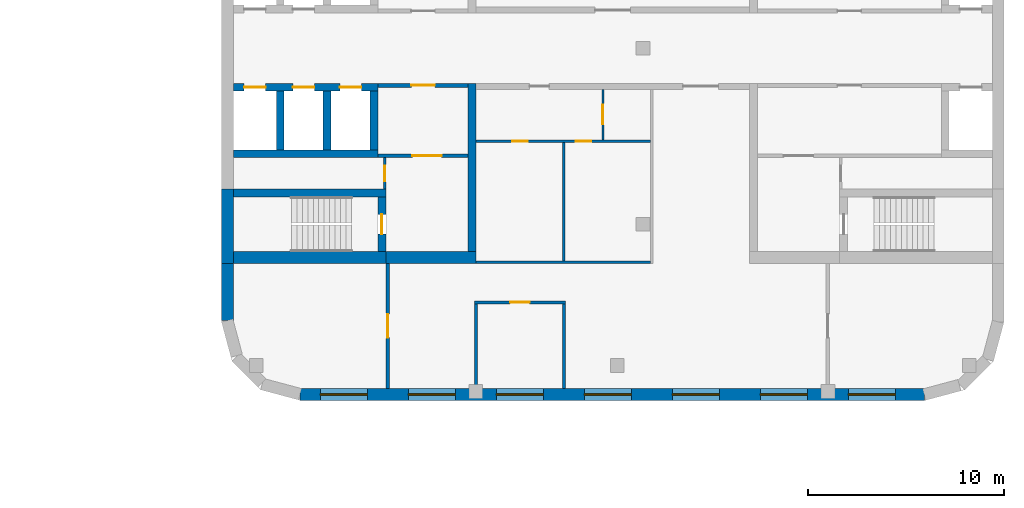
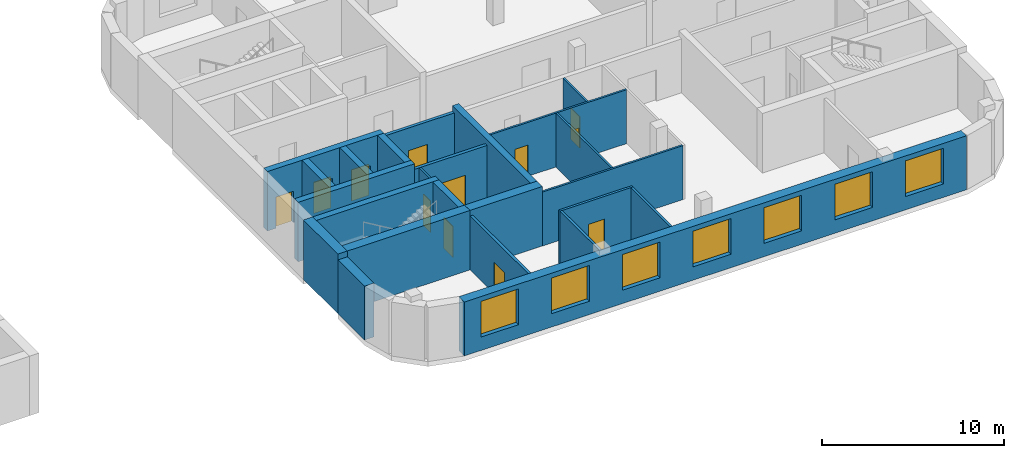
# One storey, part 7 of 16: 24 walls, 12 doors, 7 windows, 19 openings.
"""IFC4 building model written with IfcOpenShell, lengths in metres."""

from ifc_helpers import new_model, si_unit, direction, frame, frame_2d, origin, place, context, subcontext, project, spatial, rectangle, extrude, material, layer, layer_set, type_object, element, fill, save


model = new_model("IFC4")

# Units and contexts
model_context = context("Model", 3, precision=1e-05, world=origin(), true_north=direction((0.0, 1.0)))
body_context = subcontext(model_context, "Body", "Model", "MODEL_VIEW")
ifc_project = project(units=[si_unit("LENGTHUNIT", "METRE"), si_unit("AREAUNIT", "SQUARE_METRE"), si_unit("VOLUMEUNIT", "CUBIC_METRE"), si_unit("PLANEANGLEUNIT", "RADIAN"), si_unit("MASSUNIT", "GRAM", prefix="KILO")], contexts=[model_context])

# Site, building, storey
site_placement = place(None, origin())
site = spatial("IfcSite", under=ifc_project, at=site_placement, CompositionType="ELEMENT")
building_placement = place(site_placement, origin())
building = spatial("IfcBuilding", under=site, at=building_placement, Name="Skarvind Civic Tower", CompositionType="ELEMENT")
storey_placement = place(building_placement, frame((0.0, 0.0, 67.5)))
storey = spatial("IfcBuildingStorey", under=building, at=storey_placement, Name="L15", CompositionType="ELEMENT", Elevation=67.5)

# Wall, opening, door
ifc_material_1 = material(Name="Acoustic gypsum board on steel studs", Category="steel")
ifc_layer_1 = layer(ifc_material_1, 0.175048828125)
ifc_layer_set_1 = layer_set([ifc_layer_1], Name="ACOUSTIC MEETING-ROOM PARTITION 175")
wall_type_1 = type_object("IfcWallType", Name="ACOUSTIC MEETING-ROOM PARTITION 175", PredefinedType="PARTITIONING", material=ifc_layer_set_1)
wall_1_placement = place(storey_placement, frame((135.5, 117.0, 0.0), z_axis=(0.0, 0.0, 1.0), x_axis=(0.0, -1.0, 0.0)))
wall_1 = element("IfcWall", 1, at=wall_1_placement, inside=storey, type_object=wall_type_1, Name="Partition 15.001", PredefinedType="PARTITIONING", context=body_context, shape_type="SweptSolid", body=[
    extrude(rectangle(XDim=6.39990234375, YDim=0.175048828125, at=frame_2d((3.199951171875, 0.0))), origin(), (0.0, 0.0, 1.0), 3.625),
])
opening_1_placement = place(wall_1_placement, frame((2.60009765625, 0.0, 0.0)))
opening_1 = element("IfcOpeningElement", 2, at=opening_1_placement, cuts=wall_1, Name="Opening L15-D111", PredefinedType="OPENING", context=body_context, shape_type="SweptSolid", body=[
    extrude(rectangle(XDim=1.199951171875, YDim=2.10009765625, at=frame_2d((0.60009765625, 1.050048828125))), frame((0.0, 0.097412109375, 0.0), z_axis=(0.0, -1.0, 0.0), x_axis=(1.0, 0.0, 0.0)), (0.0, 0.0, 1.0), 0.195068359375),
])
ifc_material_2 = material(Name="Timber door leaf", Category="wood")
door_type_1 = type_object("IfcDoorType", Name="DOOR 1200X2100 DOUBLE TIMBER", OperationType="NOTDEFINED", PredefinedType="DOOR", material=ifc_material_2)
door_1_placement = place(opening_1_placement, origin())
door_1 = element("IfcDoor", 3, at=door_1_placement, inside=storey, type_object=door_type_1, Name="Door L15-D111", OperationType="DOUBLE_DOOR_SINGLE_SWING", OverallHeight=2.10009765625, OverallWidth=1.199951171875, PredefinedType="DOOR", context=body_context, shape_type="SweptSolid", body=[
    extrude(rectangle(XDim=1.199951171875, YDim=2.10009765625, at=frame_2d((0.60009765625, 1.050048828125))), frame((0.0, 0.02490234375, 0.0), z_axis=(0.0, -1.0, 0.0), x_axis=(1.0, 0.0, 0.0)), (0.0, 0.0, 1.0), 0.050048828125),
])
fill(opening_1, door_1)

ifc_material_3 = material(Name="Fire-rated masonry partition", Category="masonry")
ifc_layer_2 = layer(ifc_material_3, 0.199951171875)
ifc_layer_set_2 = layer_set([ifc_layer_2], Name="Core enclosure wall 200")
wall_type_2 = type_object("IfcWallType", Name="Core enclosure wall 200", PredefinedType="PARTITIONING", material=ifc_layer_set_2)
wall_2_placement = place(storey_placement, frame((139.60009765625, 126.10009765625, 0.0), z_axis=(0.0, 0.0, 1.0), x_axis=(-1.0, 0.0, 0.0)))
wall_2 = element("IfcWall", 4, at=wall_2_placement, inside=storey, type_object=wall_type_2, Name="Core wall CA", PredefinedType="PARTITIONING", context=body_context, shape_type="SweptSolid", body=[
    extrude(rectangle(XDim=4.60009765625, YDim=0.199951171875, at=frame_2d((2.300048828125, 0.0))), origin(), (0.0, 0.0, 1.0), 3.625),
])
opening_2_placement = place(wall_2_placement, frame((1.699951171875, 0.0, 0.0)))
opening_2 = element("IfcOpeningElement", 5, at=opening_2_placement, cuts=wall_2, Name="Opening D-L15-CA-10", PredefinedType="OPENING", context=body_context, shape_type="SweptSolid", body=[
    extrude(rectangle(XDim=1.199951171875, YDim=2.10009765625, at=frame_2d((0.60009765625, 1.050048828125))), frame((0.0, 0.10986328125, 0.0), z_axis=(0.0, -1.0, 0.0), x_axis=(1.0, 0.0, 0.0)), (0.0, 0.0, 1.0), 0.219970703125),
])
ifc_material_4 = material(Name="Fire-rated steel door", Category="steel")
door_type_2 = type_object("IfcDoorType", Name="Core lobby door 1200", OperationType="NOTDEFINED", PredefinedType="DOOR", material=ifc_material_4)
door_2_placement = place(opening_2_placement, origin())
door_2 = element("IfcDoor", 6, at=door_2_placement, inside=storey, type_object=door_type_2, Name="Fire door", OperationType="DOUBLE_DOOR_SINGLE_SWING", OverallHeight=2.10009765625, OverallWidth=1.199951171875, PredefinedType="DOOR", context=body_context, shape_type="SweptSolid", body=[
    extrude(rectangle(XDim=1.199951171875, YDim=2.10009765625, at=frame_2d((0.60009765625, 1.050048828125))), frame((0.0, 0.02490234375, 0.0), z_axis=(0.0, -1.0, 0.0), x_axis=(1.0, 0.0, 0.0)), (0.0, 0.0, 1.0), 0.050048828125),
])
fill(opening_2, door_2)

wall_3_placement = place(storey_placement, frame((139.60009765625, 122.5, 0.0), z_axis=(0.0, 0.0, 1.0), x_axis=(-1.0, 0.0, 0.0)))
wall_3 = element("IfcWall", 7, at=wall_3_placement, inside=storey, type_object=wall_type_2, Name="Core wall CA", PredefinedType="PARTITIONING", context=body_context, shape_type="SweptSolid", body=[
    extrude(rectangle(XDim=4.60009765625, YDim=0.199951171875, at=frame_2d((2.300048828125, 0.0))), origin(), (0.0, 0.0, 1.0), 3.625),
])
opening_3_placement = place(wall_3_placement, frame((1.35009765625, 0.0, 0.0)))
opening_3 = element("IfcOpeningElement", 8, at=opening_3_placement, cuts=wall_3, Name="Opening D-L15-CA-11", PredefinedType="OPENING", context=body_context, shape_type="SweptSolid", body=[
    extrude(rectangle(XDim=1.5, YDim=2.10009765625, at=frame_2d((0.75, 1.050048828125))), frame((0.0, 0.10986328125, 0.0), z_axis=(0.0, -1.0, 0.0), x_axis=(1.0, 0.0, 0.0)), (0.0, 0.0, 1.0), 0.219970703125),
])
door_type_3 = type_object("IfcDoorType", Name="Fire door 1500", OperationType="NOTDEFINED", PredefinedType="DOOR", material=ifc_material_4)
door_3_placement = place(opening_3_placement, origin())
door_3 = element("IfcDoor", 9, at=door_3_placement, inside=storey, type_object=door_type_3, Name="Fire door", OperationType="DOUBLE_DOOR_SINGLE_SWING", OverallHeight=2.10009765625, OverallWidth=1.5, PredefinedType="DOOR", context=body_context, shape_type="SweptSolid", body=[
    extrude(rectangle(XDim=1.5, YDim=2.10009765625, at=frame_2d((0.75, 1.050048828125))), frame((0.0, 0.02490234375, 0.0), z_axis=(0.0, -1.0, 0.0), x_axis=(1.0, 0.0, 0.0)), (0.0, 0.0, 1.0), 0.050048828125),
])
fill(opening_3, door_3)

# Wall
ifc_material_5 = material(Name="Concrete C80", Category="concrete")
ifc_layer_3 = layer(ifc_material_5, 0.39990234375)
ifc_layer_set_3 = layer_set([ifc_layer_3], Name="Core wall 400 C80")
wall_type_3 = type_object("IfcWallType", Name="Core wall 400 C80", PredefinedType="SHEAR", material=ifc_layer_set_3)
wall_4_placement = place(storey_placement, frame((127.60009765625, 120.60009765625, 0.0), z_axis=(0.0, 0.0, 1.0), x_axis=(1.0, 0.0, 0.0)))
element("IfcWall", 10, at=wall_4_placement, inside=storey, type_object=wall_type_3, Name="Core wall CA south stair inner L15", PredefinedType="SHEAR", context=body_context, shape_type="SweptSolid", body=[
    extrude(rectangle(XDim=7.7998046875, YDim=0.39990234375, at=frame_2d((3.89990234375, 0.0))), origin(), (0.0, 0.0, 1.0), 4.0),
])

# Wall, opening, door
wall_5_placement = place(storey_placement, frame((135.199951171875, 117.60009765625, 0.0), z_axis=(0.0, 0.0, 1.0), x_axis=(0.0, 1.0, 0.0)))
wall_5 = element("IfcWall", 11, at=wall_5_placement, inside=storey, type_object=wall_type_3, Name="Core wall CA south stair end L15", PredefinedType="SHEAR", context=body_context, shape_type="SweptSolid", body=[
    extrude(rectangle(XDim=2.7998046875, YDim=0.39990234375, at=frame_2d((1.39990234375, 0.0))), origin(), (0.0, 0.0, 1.0), 4.0),
])
opening_4_placement = place(wall_5_placement, frame((0.89990234375, 0.0, 0.0)))
opening_4 = element("IfcOpeningElement", 12, at=opening_4_placement, cuts=wall_5, Name="Opening D-L15-CA-12", PredefinedType="OPENING", context=body_context, shape_type="SweptSolid", body=[
    extrude(rectangle(XDim=1.0, YDim=2.10009765625, at=frame_2d((0.5, 1.050048828125))), frame((0.0, 0.2099609375, 0.0), z_axis=(0.0, -1.0, 0.0), x_axis=(1.0, 0.0, 0.0)), (0.0, 0.0, 1.0), 0.419921875),
])
door_type_4 = type_object("IfcDoorType", Name="Fire door 1000", OperationType="NOTDEFINED", PredefinedType="DOOR", material=ifc_material_4)
door_4_placement = place(opening_4_placement, origin())
door_4 = element("IfcDoor", 13, at=door_4_placement, inside=storey, type_object=door_type_4, Name="Fire door", OperationType="SINGLE_SWING_RIGHT", OverallHeight=2.10009765625, OverallWidth=1.0, PredefinedType="DOOR", context=body_context, shape_type="SweptSolid", body=[
    extrude(rectangle(XDim=1.0, YDim=2.10009765625, at=frame_2d((0.5, 1.050048828125))), frame((0.0, 0.02490234375, 0.0), z_axis=(0.0, -1.0, 0.0), x_axis=(1.0, 0.0, 0.0)), (0.0, 0.0, 1.0), 0.050048828125),
])
fill(opening_4, door_4)

# Wall, openings, doors
wall_6_placement = place(storey_placement, frame((127.60009765625, 126.0, 0.0), z_axis=(0.0, 0.0, 1.0), x_axis=(1.0, 0.0, 0.0)))
wall_6 = element("IfcWall", 14, at=wall_6_placement, inside=storey, type_object=wall_type_3, Name="Core wall CA south lift row front L15", PredefinedType="SHEAR", context=body_context, shape_type="SweptSolid", body=[
    extrude(rectangle(XDim=7.39990234375, YDim=0.39990234375, at=frame_2d((3.699951171875, 0.0))), origin(), (0.0, 0.0, 1.0), 4.0),
])
opening_5_placement = place(wall_6_placement, frame((0.550048828125, 0.0, 0.0)))
opening_5 = element("IfcOpeningElement", 15, at=opening_5_placement, cuts=wall_6, Name="Opening LD17304", PredefinedType="OPENING", context=body_context, shape_type="SweptSolid", body=[
    extrude(rectangle(XDim=1.10009765625, YDim=2.10009765625, at=frame_2d((0.550048828125, 1.050048828125))), frame((0.0, 0.2099609375, 0.0), z_axis=(0.0, -1.0, 0.0), x_axis=(1.0, 0.0, 0.0)), (0.0, 0.0, 1.0), 0.419921875),
])
opening_6_placement = place(wall_6_placement, frame((3.050048828125, 0.0, 0.0)))
opening_6 = element("IfcOpeningElement", 16, at=opening_6_placement, cuts=wall_6, Name="Opening LD17305", PredefinedType="OPENING", context=body_context, shape_type="SweptSolid", body=[
    extrude(rectangle(XDim=1.10009765625, YDim=2.10009765625, at=frame_2d((0.550048828125, 1.050048828125))), frame((0.0, 0.2099609375, 0.0), z_axis=(0.0, -1.0, 0.0), x_axis=(1.0, 0.0, 0.0)), (0.0, 0.0, 1.0), 0.419921875),
])
opening_7_placement = place(wall_6_placement, frame((5.449951171875, 0.0, 0.0)))
opening_7 = element("IfcOpeningElement", 17, at=opening_7_placement, cuts=wall_6, Name="Opening LD17306", PredefinedType="OPENING", context=body_context, shape_type="SweptSolid", body=[
    extrude(rectangle(XDim=1.10009765625, YDim=2.10009765625, at=frame_2d((0.550048828125, 1.050048828125))), frame((0.0, 0.2099609375, 0.0), z_axis=(0.0, -1.0, 0.0), x_axis=(1.0, 0.0, 0.0)), (0.0, 0.0, 1.0), 0.419921875),
])
ifc_material_6 = material(Name="Stainless steel landing door", Category="steel")
door_type_5 = type_object("IfcDoorType", Name="Lift landing door 1100", OperationType="DOUBLE_DOOR_SLIDING", PredefinedType="DOOR", material=ifc_material_6)
door_5_placement = place(opening_5_placement, origin())
door_5 = element("IfcDoor", 18, at=door_5_placement, inside=storey, type_object=door_type_5, Name="Lift landing door", OperationType="DOUBLE_DOOR_SLIDING", OverallHeight=2.10009765625, OverallWidth=1.10009765625, PredefinedType="DOOR", context=body_context, shape_type="SweptSolid", body=[
    extrude(rectangle(XDim=1.10009765625, YDim=2.10009765625, at=frame_2d((0.550048828125, 1.050048828125))), frame((0.0, 0.02490234375, 0.0), z_axis=(0.0, -1.0, 0.0), x_axis=(1.0, 0.0, 0.0)), (0.0, 0.0, 1.0), 0.050048828125),
])
fill(opening_5, door_5)
door_6_placement = place(opening_6_placement, origin())
door_6 = element("IfcDoor", 19, at=door_6_placement, inside=storey, type_object=door_type_5, Name="Lift landing door", OperationType="DOUBLE_DOOR_SLIDING", OverallHeight=2.10009765625, OverallWidth=1.10009765625, PredefinedType="DOOR", context=body_context, shape_type="SweptSolid", body=[
    extrude(rectangle(XDim=1.10009765625, YDim=2.10009765625, at=frame_2d((0.550048828125, 1.050048828125))), frame((0.0, 0.02490234375, 0.0), z_axis=(0.0, -1.0, 0.0), x_axis=(1.0, 0.0, 0.0)), (0.0, 0.0, 1.0), 0.050048828125),
])
fill(opening_6, door_6)
door_7_placement = place(opening_7_placement, origin())
door_7 = element("IfcDoor", 20, at=door_7_placement, inside=storey, type_object=door_type_5, Name="Lift landing door", OperationType="DOUBLE_DOOR_SLIDING", OverallHeight=2.10009765625, OverallWidth=1.10009765625, PredefinedType="DOOR", context=body_context, shape_type="SweptSolid", body=[
    extrude(rectangle(XDim=1.10009765625, YDim=2.10009765625, at=frame_2d((0.550048828125, 1.050048828125))), frame((0.0, 0.02490234375, 0.0), z_axis=(0.0, -1.0, 0.0), x_axis=(1.0, 0.0, 0.0)), (0.0, 0.0, 1.0), 0.050048828125),
])
fill(opening_7, door_7)

# Walls
wall_7_placement = place(storey_placement, frame((127.60009765625, 122.60009765625, 0.0), z_axis=(0.0, 0.0, 1.0), x_axis=(1.0, 0.0, 0.0)))
element("IfcWall", 21, at=wall_7_placement, inside=storey, type_object=wall_type_3, Name="Core wall CA south lift row back L15", PredefinedType="SHEAR", context=body_context, shape_type="SweptSolid", body=[
    extrude(rectangle(XDim=7.39990234375, YDim=0.39990234375, at=frame_2d((3.699951171875, 0.0))), origin(), (0.0, 0.0, 1.0), 4.0),
])
for number, where, z_axis, x_axis, name in (
    (22, (130.0, 122.800048828125, 0.0), (0.0, 0.0, 1.0), (0.0, 1.0, 0.0), "Core wall CA south lift row division 1 L15"),
    (23, (132.39990234375, 122.800048828125, 0.0), (0.0, 0.0, 1.0), (0.0, 1.0, 0.0), "Core wall CA south lift row division 2 L15"),
    (24, (134.800048828125, 122.800048828125, 0.0), (0.0, 0.0, 1.0), (0.0, 1.0, 0.0), "Core wall CA south lift row division 3 L15"),
):
    element("IfcWall", number, at=place(storey_placement, frame(where, z_axis=z_axis, x_axis=x_axis)), inside=storey, type_object=wall_type_3, Name=name, PredefinedType="SHEAR", context=body_context, shape_type="SweptSolid", body=[
        extrude(rectangle(XDim=3.0, YDim=0.39990234375, at=frame_2d((1.5, 0.0))), origin(), (0.0, 0.0, 1.0), 4.0),
    ])
wall_8_placement = place(storey_placement, frame((139.800048828125, 117.60009765625, 0.0), z_axis=(0.0, 0.0, 1.0), x_axis=(0.0, 1.0, 0.0)))
element("IfcWall", 25, at=wall_8_placement, inside=storey, type_object=wall_type_3, Name="Core wall CA south inner face L15", PredefinedType="SHEAR", context=body_context, shape_type="SweptSolid", body=[
    extrude(rectangle(XDim=8.599853515625, YDim=0.39990234375, at=frame_2d((4.2998046875, 0.0))), origin(), (0.0, 0.0, 1.0), 4.0),
])
ifc_layer_4 = layer(ifc_material_5, 0.60009765625)
ifc_layer_set_4 = layer_set([ifc_layer_4], Name="Core wall 600 C80")
wall_type_4 = type_object("IfcWallType", Name="Core wall 600 C80", PredefinedType="SHEAR", material=ifc_layer_set_4)
wall_9_placement = place(storey_placement, frame((127.300048828125, 117.0, 0.0), z_axis=(0.0, 0.0, 1.0), x_axis=(0.0, 1.0, 0.0)))
element("IfcWall", 26, at=wall_9_placement, inside=storey, type_object=wall_type_4, Name="Core wall CA tip at the south stair L15", PredefinedType="SHEAR", context=body_context, shape_type="SweptSolid", body=[
    extrude(rectangle(XDim=3.800048828125, YDim=0.60009765625, at=frame_2d((1.89990234375, 0.0))), origin(), (0.0, 0.0, 1.0), 4.0),
])
wall_10_placement = place(storey_placement, frame((127.60009765625, 117.300048828125, 0.0), z_axis=(0.0, 0.0, 1.0), x_axis=(1.0, 0.0, 0.0)))
element("IfcWall", 27, at=wall_10_placement, inside=storey, type_object=wall_type_4, Name="Core wall CA south side at the stair L15", PredefinedType="SHEAR", context=body_context, shape_type="SweptSolid", body=[
    extrude(rectangle(XDim=7.7998046875, YDim=0.60009765625, at=frame_2d((3.89990234375, 0.0))), origin(), (0.0, 0.0, 1.0), 4.0),
])
wall_11_placement = place(storey_placement, frame((135.39990234375, 117.300048828125, 0.0), z_axis=(0.0, 0.0, 1.0), x_axis=(1.0, 0.0, 0.0)))
element("IfcWall", 28, at=wall_11_placement, inside=storey, type_object=wall_type_4, Name="Core wall CA south side L15", PredefinedType="SHEAR", context=body_context, shape_type="SweptSolid", body=[
    extrude(rectangle(XDim=4.60009765625, YDim=0.60009765625, at=frame_2d((2.300048828125, 0.0))), origin(), (0.0, 0.0, 1.0), 4.0),
])
ifc_material_7 = material(Name="Plasterboard partition on steel studs", Category="steel")
ifc_layer_5 = layer(ifc_material_7, 0.14990234375)
ifc_layer_set_5 = layer_set([ifc_layer_5], Name="PARTITION 150")
wall_type_5 = type_object("IfcWallType", Name="PARTITION 150", PredefinedType="PARTITIONING", material=ifc_layer_set_5)
wall_12_placement = place(storey_placement, frame((140.0, 110.60009765625, 0.0), z_axis=(0.0, 0.0, 1.0), x_axis=(0.0, 1.0, 0.0)))
element("IfcWall", 29, at=wall_12_placement, inside=storey, type_object=wall_type_5, Name="Partition 15.003", PredefinedType="PARTITIONING", context=body_context, shape_type="SweptSolid", body=[
    extrude(rectangle(XDim=4.324951171875, YDim=0.14990234375, at=frame_2d((2.16259765625, 0.0))), origin(), (0.0, 0.0, 1.0), 3.625),
])

# Wall, opening, door
wall_13_placement = place(storey_placement, frame((139.925048828125, 115.0, 0.0), z_axis=(0.0, 0.0, 1.0), x_axis=(1.0, 0.0, 0.0)))
wall_13 = element("IfcWall", 30, at=wall_13_placement, inside=storey, type_object=wall_type_5, Name="Partition 15.004", PredefinedType="PARTITIONING", context=body_context, shape_type="SweptSolid", body=[
    extrude(rectangle(XDim=4.64990234375, YDim=0.14990234375, at=frame_2d((2.324951171875, 0.0))), origin(), (0.0, 0.0, 1.0), 3.625),
])
opening_8_placement = place(wall_13_placement, frame((1.824951171875, 0.0, 0.0)))
opening_8 = element("IfcOpeningElement", 31, at=opening_8_placement, cuts=wall_13, Name="Opening L15-D110", PredefinedType="OPENING", context=body_context, shape_type="SweptSolid", body=[
    extrude(rectangle(XDim=1.0, YDim=2.10009765625, at=frame_2d((0.5, 1.050048828125))), frame((0.0, 0.0849609375, 0.0), z_axis=(0.0, -1.0, 0.0), x_axis=(1.0, 0.0, 0.0)), (0.0, 0.0, 1.0), 0.169921875),
])
door_type_6 = type_object("IfcDoorType", Name="D1 1000x2100", OperationType="NOTDEFINED", PredefinedType="DOOR", material=ifc_material_2)
door_8_placement = place(opening_8_placement, origin())
door_8 = element("IfcDoor", 32, at=door_8_placement, inside=storey, type_object=door_type_6, Name="Door L15-D110", OperationType="SINGLE_SWING_LEFT", OverallHeight=2.10009765625, OverallWidth=1.0, PredefinedType="DOOR", context=body_context, shape_type="SweptSolid", body=[
    extrude(rectangle(XDim=1.0, YDim=2.10009765625, at=frame_2d((0.5, 1.050048828125))), frame((0.0, 0.02490234375, 0.0), z_axis=(0.0, -1.0, 0.0), x_axis=(1.0, 0.0, 0.0)), (0.0, 0.0, 1.0), 0.050048828125),
])
fill(opening_8, door_8)

# Wall
wall_14_placement = place(storey_placement, frame((144.5, 114.925048828125, 0.0), z_axis=(0.0, 0.0, 1.0), x_axis=(0.0, -1.0, 0.0)))
element("IfcWall", 33, at=wall_14_placement, inside=storey, type_object=wall_type_5, Name="Partition 15.009", PredefinedType="PARTITIONING", context=body_context, shape_type="SweptSolid", body=[
    extrude(rectangle(XDim=4.324951171875, YDim=0.14990234375, at=frame_2d((2.16259765625, 0.0))), origin(), (0.0, 0.0, 1.0), 3.625),
])

# Wall, opening, door
ifc_layer_6 = layer(ifc_material_3, 0.125)
ifc_layer_set_6 = layer_set([ifc_layer_6], Name="Riser wall 125")
wall_type_6 = type_object("IfcWallType", Name="Riser wall 125", PredefinedType="PARTITIONING", material=ifc_layer_set_6)
wall_15_placement = place(storey_placement, frame((135.33740234375, 122.39990234375, 0.0), z_axis=(0.0, 0.0, 1.0), x_axis=(0.0, -1.0, 0.0)))
wall_15 = element("IfcWall", 34, at=wall_15_placement, inside=storey, type_object=wall_type_6, Name="Core wall CA", PredefinedType="PARTITIONING", context=body_context, shape_type="SweptSolid", body=[
    extrude(rectangle(XDim=1.599853515625, YDim=0.125, at=frame_2d((0.7998046875, 0.0))), origin(), (0.0, 0.0, 1.0), 3.625),
])
opening_9_placement = place(wall_15_placement, frame((0.39990234375, 0.0, 0.0)))
opening_9 = element("IfcOpeningElement", 35, at=opening_9_placement, cuts=wall_15, Name="Opening D-L15-CA-13", PredefinedType="OPENING", context=body_context, shape_type="SweptSolid", body=[
    extrude(rectangle(XDim=0.800048828125, YDim=2.10009765625, at=frame_2d((0.39990234375, 1.050048828125))), frame((0.0, 0.072509765625, 0.0), z_axis=(0.0, -1.0, 0.0), x_axis=(1.0, 0.0, 0.0)), (0.0, 0.0, 1.0), 0.14501953125),
])
door_type_7 = type_object("IfcDoorType", Name="Core riser door 800", OperationType="NOTDEFINED", PredefinedType="DOOR", material=ifc_material_4)
door_9_placement = place(opening_9_placement, origin())
door_9 = element("IfcDoor", 36, at=door_9_placement, inside=storey, type_object=door_type_7, Name="Riser door", OperationType="SINGLE_SWING_LEFT", OverallHeight=2.10009765625, OverallWidth=0.800048828125, PredefinedType="DOOR", context=body_context, shape_type="SweptSolid", body=[
    extrude(rectangle(XDim=0.800048828125, YDim=2.10009765625, at=frame_2d((0.39990234375, 1.050048828125))), frame((0.0, 0.02490234375, 0.0), z_axis=(0.0, -1.0, 0.0), x_axis=(1.0, 0.0, 0.0)), (0.0, 0.0, 1.0), 0.050048828125),
])
fill(opening_9, door_9)

# Wall
ifc_material_8 = material(Name="Moisture-resistant gypsum board on steel studs", Category="steel")
ifc_layer_7 = layer(ifc_material_8, 0.125)
ifc_layer_set_7 = layer_set([ifc_layer_7], Name="WC PARTITION 125")
wall_type_7 = type_object("IfcWallType", Name="WC PARTITION 125", PredefinedType="PARTITIONING", material=ifc_layer_set_7)
wall_16_placement = place(storey_placement, frame((140.0, 117.050048828125, 0.0), z_axis=(0.0, 0.0, 1.0), x_axis=(1.0, 0.0, 0.0)))
element("IfcWall", 37, at=wall_16_placement, inside=storey, type_object=wall_type_7, Name="Partition 15.005", PredefinedType="PARTITIONING", context=body_context, shape_type="SweptSolid", body=[
    extrude(rectangle(XDim=8.93798828125, YDim=0.125, at=frame_2d((4.468994140625, 0.0))), origin(), (0.0, 0.0, 1.0), 3.625),
])

# Wall, openings, doors
wall_17_placement = place(storey_placement, frame((148.93798828125, 123.25, 0.0), z_axis=(0.0, 0.0, 1.0), x_axis=(-1.0, 0.0, 0.0)))
wall_17 = element("IfcWall", 38, at=wall_17_placement, inside=storey, type_object=wall_type_7, Name="Partition 15.006", PredefinedType="PARTITIONING", context=body_context, shape_type="SweptSolid", body=[
    extrude(rectangle(XDim=8.93798828125, YDim=0.125, at=frame_2d((4.468994140625, 0.0))), origin(), (0.0, 0.0, 1.0), 3.625),
])
opening_10_placement = place(wall_17_placement, frame((6.2880859375, 0.0, 0.0)))
opening_10 = element("IfcOpeningElement", 39, at=opening_10_placement, cuts=wall_17, Name="Opening L15-D107", PredefinedType="OPENING", context=body_context, shape_type="SweptSolid", body=[
    extrude(rectangle(XDim=0.800048828125, YDim=2.10009765625, at=frame_2d((0.39990234375, 1.050048828125))), frame((0.0, 0.072509765625, 0.0), z_axis=(0.0, -1.0, 0.0), x_axis=(1.0, 0.0, 0.0)), (0.0, 0.0, 1.0), 0.14501953125),
])
opening_11_placement = place(wall_17_placement, frame((3.03662109375, 0.0, 0.0)))
opening_11 = element("IfcOpeningElement", 40, at=opening_11_placement, cuts=wall_17, Name="Opening L15-D108", PredefinedType="OPENING", context=body_context, shape_type="SweptSolid", body=[
    extrude(rectangle(XDim=0.800048828125, YDim=2.10009765625, at=frame_2d((0.39990234375, 1.050048828125))), frame((0.0, 0.072509765625, 0.0), z_axis=(0.0, -1.0, 0.0), x_axis=(1.0, 0.0, 0.0)), (0.0, 0.0, 1.0), 0.14501953125),
])
door_type_8 = type_object("IfcDoorType", Name="DOOR 800X2100 TIMBER", OperationType="NOTDEFINED", PredefinedType="DOOR", material=ifc_material_2)
door_10_placement = place(opening_10_placement, origin())
door_10 = element("IfcDoor", 41, at=door_10_placement, inside=storey, type_object=door_type_8, Name="Door L15-D107", OperationType="SINGLE_SWING_RIGHT", OverallHeight=2.10009765625, OverallWidth=0.800048828125, PredefinedType="DOOR", context=body_context, shape_type="SweptSolid", body=[
    extrude(rectangle(XDim=0.800048828125, YDim=2.10009765625, at=frame_2d((0.39990234375, 1.050048828125))), frame((0.0, 0.02490234375, 0.0), z_axis=(0.0, -1.0, 0.0), x_axis=(1.0, 0.0, 0.0)), (0.0, 0.0, 1.0), 0.050048828125),
])
fill(opening_10, door_10)
door_11_placement = place(opening_11_placement, origin())
door_11 = element("IfcDoor", 42, at=door_11_placement, inside=storey, type_object=door_type_8, Name="Door L15-D108", OperationType="SINGLE_SWING_LEFT", OverallHeight=2.10009765625, OverallWidth=0.800048828125, PredefinedType="DOOR", context=body_context, shape_type="SweptSolid", body=[
    extrude(rectangle(XDim=0.800048828125, YDim=2.10009765625, at=frame_2d((0.39990234375, 1.050048828125))), frame((0.0, 0.02490234375, 0.0), z_axis=(0.0, -1.0, 0.0), x_axis=(1.0, 0.0, 0.0)), (0.0, 0.0, 1.0), 0.050048828125),
])
fill(opening_11, door_11)

# Wall
wall_18_placement = place(storey_placement, frame((144.5, 117.112060546875, 0.0), z_axis=(0.0, 0.0, 1.0), x_axis=(0.0, 1.0, 0.0)))
element("IfcWall", 43, at=wall_18_placement, inside=storey, type_object=wall_type_7, Name="Partition 15.010", PredefinedType="PARTITIONING", context=body_context, shape_type="SweptSolid", body=[
    extrude(rectangle(XDim=6.075927734375, YDim=0.125, at=frame_2d((3.0380859375, 0.0))), origin(), (0.0, 0.0, 1.0), 3.625),
])

# Wall, opening, door
wall_19_placement = place(storey_placement, frame((146.5, 125.89990234375, 0.0), z_axis=(0.0, 0.0, 1.0), x_axis=(0.0, -1.0, 0.0)))
wall_19 = element("IfcWall", 44, at=wall_19_placement, inside=storey, type_object=wall_type_7, Name="Partition 15.013", PredefinedType="PARTITIONING", context=body_context, shape_type="SweptSolid", body=[
    extrude(rectangle(XDim=2.587890625, YDim=0.125, at=frame_2d((1.2939453125, 0.0))), origin(), (0.0, 0.0, 1.0), 3.625),
])
opening_12_placement = place(wall_19_placement, frame((0.7939453125, 0.0, 0.0)))
opening_12 = element("IfcOpeningElement", 45, at=opening_12_placement, cuts=wall_19, Name="Opening L15-D106", PredefinedType="OPENING", context=body_context, shape_type="SweptSolid", body=[
    extrude(rectangle(XDim=1.0, YDim=2.10009765625, at=frame_2d((0.5, 1.050048828125))), frame((0.0, 0.072509765625, 0.0), z_axis=(0.0, -1.0, 0.0), x_axis=(1.0, 0.0, 0.0)), (0.0, 0.0, 1.0), 0.14501953125),
])
door_12_placement = place(opening_12_placement, origin())
door_12 = element("IfcDoor", 46, at=door_12_placement, inside=storey, type_object=door_type_6, Name="Door L15-D106", OperationType="SINGLE_SWING_RIGHT", OverallHeight=2.10009765625, OverallWidth=1.0, PredefinedType="DOOR", context=body_context, shape_type="SweptSolid", body=[
    extrude(rectangle(XDim=1.0, YDim=2.10009765625, at=frame_2d((0.5, 1.050048828125))), frame((0.0, 0.02490234375, 0.0), z_axis=(0.0, -1.0, 0.0), x_axis=(1.0, 0.0, 0.0)), (0.0, 0.0, 1.0), 0.050048828125),
])
fill(opening_12, door_12)

# Wall
ifc_material_9 = material(Name="Limestone masonry cladding on insulated backing", Category="masonry")
ifc_layer_8 = layer(ifc_material_9, 0.60009765625)
ifc_layer_set_8 = layer_set([ifc_layer_8], Name="WX1 STONE FACADE WALL 600")
wall_type_8 = type_object("IfcWallType", Name="WX1 STONE FACADE WALL 600", PredefinedType="SOLIDWALL", material=ifc_layer_set_8)
wall_20_placement = place(storey_placement, frame((127.300048828125, 114.070068359375, 0.0), z_axis=(0.0, 0.0, 1.0), x_axis=(0.0, 1.0, 0.0)))
element("IfcWall", 47, at=wall_20_placement, inside=storey, type_object=wall_type_8, Name="STONE FACADE WALL", PredefinedType="SOLIDWALL", context=body_context, shape_type="SweptSolid", body=[
    extrude(rectangle(XDim=2.909912109375, YDim=0.60009765625, at=frame_2d((1.455078125, 0.0))), origin(), (0.0, 0.0, 1.0), 3.625),
])

# Wall, openings, windows
wall_21_placement = place(storey_placement, frame((162.929931640625, 110.300048828125, 0.0), z_axis=(0.0, 0.0, 1.0), x_axis=(-1.0, 0.0, 0.0)))
wall_21 = element("IfcWall", 48, at=wall_21_placement, inside=storey, type_object=wall_type_8, Name="STONE FACADE WALL", PredefinedType="SOLIDWALL", context=body_context, shape_type="SweptSolid", body=[
    extrude(rectangle(XDim=31.929931640625, YDim=0.60009765625, at=frame_2d((15.96484375, 0.0))), origin(), (0.0, 0.0, 1.0), 3.625),
])
opening_13_placement = place(wall_21_placement, frame((1.47998046875, 0.0, 0.89990234375)))
opening_13 = element("IfcOpeningElement", 49, at=opening_13_placement, cuts=wall_21, Name="Opening WN9", PredefinedType="OPENING", context=body_context, shape_type="SweptSolid", body=[
    extrude(rectangle(XDim=2.39990234375, YDim=2.39990234375, at=frame_2d((1.199951171875, 1.199951171875))), frame((0.0, 0.31005859375, 0.0), z_axis=(0.0, -1.0, 0.0), x_axis=(1.0, 0.0, 0.0)), (0.0, 0.0, 1.0), 0.6201171875),
])
opening_14_placement = place(wall_21_placement, frame((5.97998046875, 0.0, 0.89990234375)))
opening_14 = element("IfcOpeningElement", 50, at=opening_14_placement, cuts=wall_21, Name="Opening WN9", PredefinedType="OPENING", context=body_context, shape_type="SweptSolid", body=[
    extrude(rectangle(XDim=2.39990234375, YDim=2.39990234375, at=frame_2d((1.199951171875, 1.199951171875))), frame((0.0, 0.31005859375, 0.0), z_axis=(0.0, -1.0, 0.0), x_axis=(1.0, 0.0, 0.0)), (0.0, 0.0, 1.0), 0.6201171875),
])
opening_15_placement = place(wall_21_placement, frame((10.47998046875, 0.0, 0.89990234375)))
opening_15 = element("IfcOpeningElement", 51, at=opening_15_placement, cuts=wall_21, Name="Opening WN9", PredefinedType="OPENING", context=body_context, shape_type="SweptSolid", body=[
    extrude(rectangle(XDim=2.39990234375, YDim=2.39990234375, at=frame_2d((1.199951171875, 1.199951171875))), frame((0.0, 0.31005859375, 0.0), z_axis=(0.0, -1.0, 0.0), x_axis=(1.0, 0.0, 0.0)), (0.0, 0.0, 1.0), 0.6201171875),
])
opening_16_placement = place(wall_21_placement, frame((14.97998046875, 0.0, 0.89990234375)))
opening_16 = element("IfcOpeningElement", 52, at=opening_16_placement, cuts=wall_21, Name="Opening WN9", PredefinedType="OPENING", context=body_context, shape_type="SweptSolid", body=[
    extrude(rectangle(XDim=2.39990234375, YDim=2.39990234375, at=frame_2d((1.199951171875, 1.199951171875))), frame((0.0, 0.31005859375, 0.0), z_axis=(0.0, -1.0, 0.0), x_axis=(1.0, 0.0, 0.0)), (0.0, 0.0, 1.0), 0.6201171875),
])
opening_17_placement = place(wall_21_placement, frame((19.47998046875, 0.0, 0.89990234375)))
opening_17 = element("IfcOpeningElement", 53, at=opening_17_placement, cuts=wall_21, Name="Opening WN9", PredefinedType="OPENING", context=body_context, shape_type="SweptSolid", body=[
    extrude(rectangle(XDim=2.39990234375, YDim=2.39990234375, at=frame_2d((1.199951171875, 1.199951171875))), frame((0.0, 0.31005859375, 0.0), z_axis=(0.0, -1.0, 0.0), x_axis=(1.0, 0.0, 0.0)), (0.0, 0.0, 1.0), 0.6201171875),
])
opening_18_placement = place(wall_21_placement, frame((23.97998046875, 0.0, 0.89990234375)))
opening_18 = element("IfcOpeningElement", 54, at=opening_18_placement, cuts=wall_21, Name="Opening WN9", PredefinedType="OPENING", context=body_context, shape_type="SweptSolid", body=[
    extrude(rectangle(XDim=2.39990234375, YDim=2.39990234375, at=frame_2d((1.199951171875, 1.199951171875))), frame((0.0, 0.31005859375, 0.0), z_axis=(0.0, -1.0, 0.0), x_axis=(1.0, 0.0, 0.0)), (0.0, 0.0, 1.0), 0.6201171875),
])
opening_19_placement = place(wall_21_placement, frame((28.47998046875, 0.0, 0.89990234375)))
opening_19 = element("IfcOpeningElement", 55, at=opening_19_placement, cuts=wall_21, Name="Opening WN9", PredefinedType="OPENING", context=body_context, shape_type="SweptSolid", body=[
    extrude(rectangle(XDim=2.39990234375, YDim=2.39990234375, at=frame_2d((1.199951171875, 1.199951171875))), frame((0.0, 0.31005859375, 0.0), z_axis=(0.0, -1.0, 0.0), x_axis=(1.0, 0.0, 0.0)), (0.0, 0.0, 1.0), 0.6201171875),
])
ifc_material_10 = material(Name="Timber frame, double glazing, timber-lined reveal", Category="wood")
window_type = type_object("IfcWindowType", Name="WN9 COMPANION TOWER WINDOW 2400 x 2400", PartitioningType="SINGLE_PANEL", PredefinedType="WINDOW", material=ifc_material_10)
window_1_placement = place(opening_13_placement, origin())
window_1 = element("IfcWindow", 56, at=window_1_placement, inside=storey, type_object=window_type, Name="WN9 WINDOW", OverallHeight=2.39990234375, OverallWidth=2.39990234375, PartitioningType="SINGLE_PANEL", PredefinedType="WINDOW", context=body_context, shape_type="SweptSolid", body=[
    extrude(rectangle(XDim=2.39990234375, YDim=2.39990234375, at=frame_2d((1.199951171875, 1.199951171875))), frame((0.0, 0.030029296875, 0.0), z_axis=(0.0, -1.0, 0.0), x_axis=(1.0, 0.0, 0.0)), (0.0, 0.0, 1.0), 0.06005859375),
])
fill(opening_13, window_1)
window_2_placement = place(opening_14_placement, origin())
window_2 = element("IfcWindow", 57, at=window_2_placement, inside=storey, type_object=window_type, Name="WN9 WINDOW", OverallHeight=2.39990234375, OverallWidth=2.39990234375, PartitioningType="SINGLE_PANEL", PredefinedType="WINDOW", context=body_context, shape_type="SweptSolid", body=[
    extrude(rectangle(XDim=2.39990234375, YDim=2.39990234375, at=frame_2d((1.199951171875, 1.199951171875))), frame((0.0, 0.030029296875, 0.0), z_axis=(0.0, -1.0, 0.0), x_axis=(1.0, 0.0, 0.0)), (0.0, 0.0, 1.0), 0.06005859375),
])
fill(opening_14, window_2)
window_3_placement = place(opening_15_placement, origin())
window_3 = element("IfcWindow", 58, at=window_3_placement, inside=storey, type_object=window_type, Name="WN9 WINDOW", OverallHeight=2.39990234375, OverallWidth=2.39990234375, PartitioningType="SINGLE_PANEL", PredefinedType="WINDOW", context=body_context, shape_type="SweptSolid", body=[
    extrude(rectangle(XDim=2.39990234375, YDim=2.39990234375, at=frame_2d((1.199951171875, 1.199951171875))), frame((0.0, 0.030029296875, 0.0), z_axis=(0.0, -1.0, 0.0), x_axis=(1.0, 0.0, 0.0)), (0.0, 0.0, 1.0), 0.06005859375),
])
fill(opening_15, window_3)
window_4_placement = place(opening_16_placement, origin())
window_4 = element("IfcWindow", 59, at=window_4_placement, inside=storey, type_object=window_type, Name="WN9 WINDOW", OverallHeight=2.39990234375, OverallWidth=2.39990234375, PartitioningType="SINGLE_PANEL", PredefinedType="WINDOW", context=body_context, shape_type="SweptSolid", body=[
    extrude(rectangle(XDim=2.39990234375, YDim=2.39990234375, at=frame_2d((1.199951171875, 1.199951171875))), frame((0.0, 0.030029296875, 0.0), z_axis=(0.0, -1.0, 0.0), x_axis=(1.0, 0.0, 0.0)), (0.0, 0.0, 1.0), 0.06005859375),
])
fill(opening_16, window_4)
window_5_placement = place(opening_17_placement, origin())
window_5 = element("IfcWindow", 60, at=window_5_placement, inside=storey, type_object=window_type, Name="WN9 WINDOW", OverallHeight=2.39990234375, OverallWidth=2.39990234375, PartitioningType="SINGLE_PANEL", PredefinedType="WINDOW", context=body_context, shape_type="SweptSolid", body=[
    extrude(rectangle(XDim=2.39990234375, YDim=2.39990234375, at=frame_2d((1.199951171875, 1.199951171875))), frame((0.0, 0.030029296875, 0.0), z_axis=(0.0, -1.0, 0.0), x_axis=(1.0, 0.0, 0.0)), (0.0, 0.0, 1.0), 0.06005859375),
])
fill(opening_17, window_5)
window_6_placement = place(opening_18_placement, origin())
window_6 = element("IfcWindow", 61, at=window_6_placement, inside=storey, type_object=window_type, Name="WN9 WINDOW", OverallHeight=2.39990234375, OverallWidth=2.39990234375, PartitioningType="SINGLE_PANEL", PredefinedType="WINDOW", context=body_context, shape_type="SweptSolid", body=[
    extrude(rectangle(XDim=2.39990234375, YDim=2.39990234375, at=frame_2d((1.199951171875, 1.199951171875))), frame((0.0, 0.030029296875, 0.0), z_axis=(0.0, -1.0, 0.0), x_axis=(1.0, 0.0, 0.0)), (0.0, 0.0, 1.0), 0.06005859375),
])
fill(opening_18, window_6)
window_7_placement = place(opening_19_placement, origin())
window_7 = element("IfcWindow", 62, at=window_7_placement, inside=storey, type_object=window_type, Name="WN9 WINDOW", OverallHeight=2.39990234375, OverallWidth=2.39990234375, PartitioningType="SINGLE_PANEL", PredefinedType="WINDOW", context=body_context, shape_type="SweptSolid", body=[
    extrude(rectangle(XDim=2.39990234375, YDim=2.39990234375, at=frame_2d((1.199951171875, 1.199951171875))), frame((0.0, 0.030029296875, 0.0), z_axis=(0.0, -1.0, 0.0), x_axis=(1.0, 0.0, 0.0)), (0.0, 0.0, 1.0), 0.06005859375),
])
fill(opening_19, window_7)

save(model, "model.ifc")
